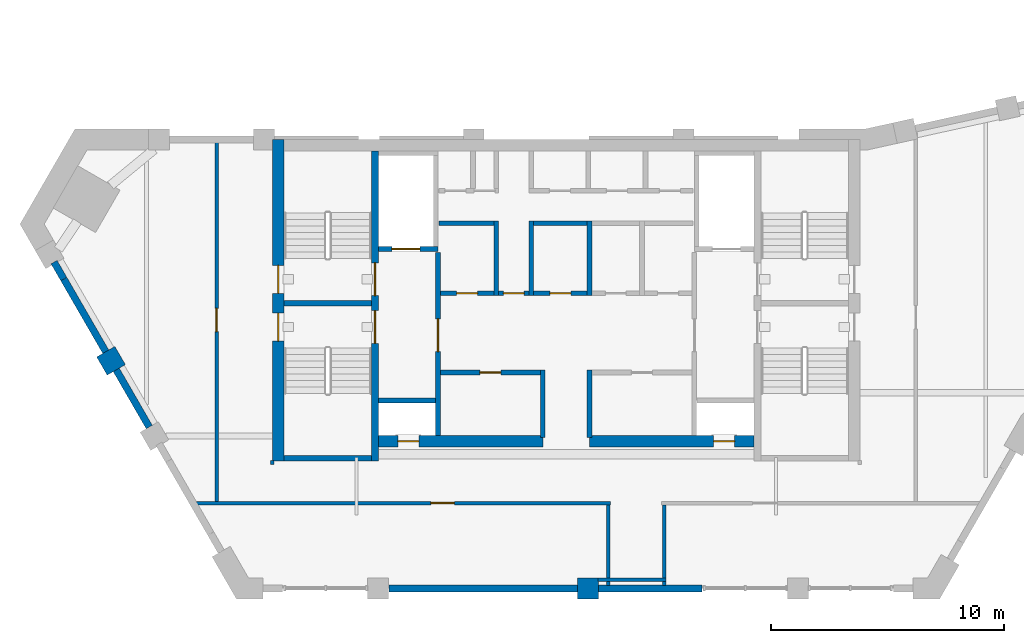
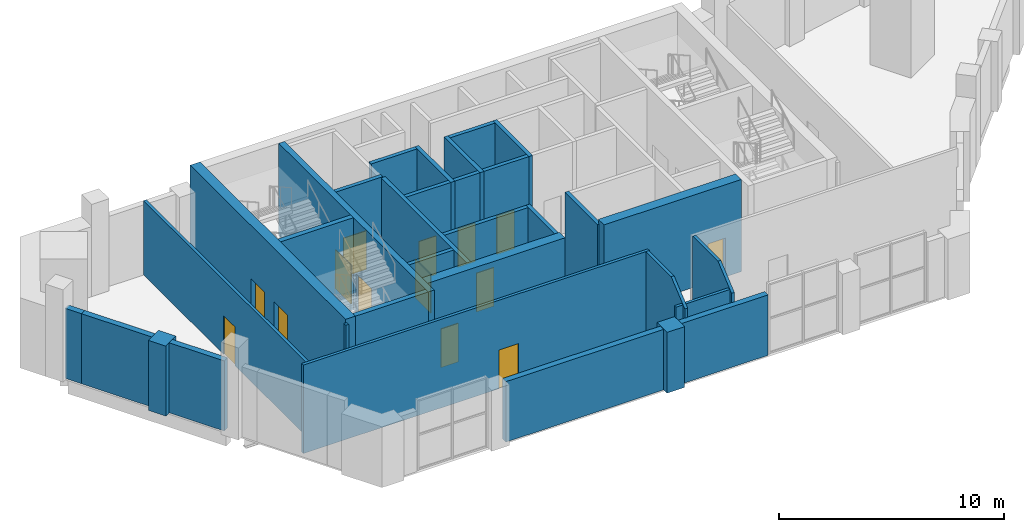
# One storey, part 4 of 9: 33 walls, 14 doors, 14 openings.
"""IFC4 building model written with IfcOpenShell, lengths in metres."""

from ifc_helpers import new_model, si_unit, direction, frame, frame_2d, origin, place, context, subcontext, project, spatial, polyline, rectangle, outline, extrude, material, layer, layer_set, type_object, element, fill, save


model = new_model("IFC4")

# Units and contexts
model_context = context("Model", 3, precision=1e-05, world=origin(), true_north=direction((0.0, 1.0)))
body_context = subcontext(model_context, "Body", "Model", "MODEL_VIEW")
ifc_project = project(units=[si_unit("LENGTHUNIT", "METRE"), si_unit("AREAUNIT", "SQUARE_METRE"), si_unit("VOLUMEUNIT", "CUBIC_METRE"), si_unit("PLANEANGLEUNIT", "RADIAN"), si_unit("MASSUNIT", "GRAM", prefix="KILO")], contexts=[model_context])

# Site, building, storey
site_placement = place(None, origin())
site = spatial("IfcSite", under=ifc_project, at=site_placement, CompositionType="ELEMENT")
building_placement = place(site_placement, origin())
building = spatial("IfcBuilding", under=site, at=building_placement, Name="Calabash Gate Tower", CompositionType="ELEMENT")
storey_placement = place(building_placement, frame((0.0, 0.0, 330.5)))
storey = spatial("IfcBuildingStorey", under=building, at=storey_placement, Name="L77", CompositionType="ELEMENT", Elevation=330.5)

# Walls
ifc_material_1 = material(Name="Terracotta brick masonry, exposed face", Category="masonry")
ifc_layer_1 = layer(ifc_material_1, 0.89990234375)
ifc_layer_set_1 = layer_set([ifc_layer_1], Name="Brick end wall 900")
wall_type_1 = type_object("IfcWallType", Name="Brick end wall 900", PredefinedType="SOLIDWALL", material=ifc_layer_set_1)
wall_1_placement = place(storey_placement, frame((-19.916015625, 9.330322265625, 0.0), z_axis=(0.0, 0.0, 1.0), x_axis=(0.866013897511, 0.50001992892, 0.0)))
element("IfcWall", 1, at=wall_1_placement, inside=storey, type_object=wall_type_1, Name="Brick pier L77 crown0.1", PredefinedType="SOLIDWALL", context=body_context, shape_type="SweptSolid", body=[
    extrude(rectangle(XDim=0.89990234375, YDim=0.89990234375, at=frame_2d((0.449951171875, 0.0))), origin(), (0.0, 0.0, 1.0), 3.800048828125),
])
wall_2_placement = place(storey_placement, origin())
element("IfcWall", 2, at=wall_2_placement, inside=storey, type_object=wall_type_1, Name="Brick pier L77 crown1.3", PredefinedType="SOLIDWALL", context=body_context, shape_type="SweptSolid", body=[
    extrude(outline(polyline([(1.385986328125, 0.24560546875), (0.48583984375, 0.24560546875), (0.48583984375, -0.654541015625), (1.385986328125, -0.654541015625), (1.385986328125, 0.24560546875)])), origin(), (0.0, 0.0, 1.0), 3.29736328125),
])
ifc_material_2 = material(Name="Gypsum board on steel studs, mineral wool", Category="steel")
ifc_layer_2 = layer(ifc_material_2, 0.199951171875)
ifc_layer_set_2 = layer_set([ifc_layer_2], Name="Core partition 200 gypsum board")
wall_type_2 = type_object("IfcWallType", Name="Core partition 200 gypsum board", PredefinedType="PARTITIONING", material=ifc_layer_set_2)
for number, where, z_axis, x_axis, name in (
    (3, (-1.0, 6.272705078125, 0.0), (0.0, 0.0, 1.0), (0.0, 1.0, 0.0), "Core partition"),
    (4, (1.0, 6.272705078125, 0.0), (0.0, 0.0, 1.0), (0.0, 1.0, 0.0), "Core partition"),
):
    element("IfcWall", number, at=place(storey_placement, frame(where, z_axis=z_axis, x_axis=x_axis)), inside=storey, type_object=wall_type_2, Name=name, PredefinedType="PARTITIONING", context=body_context, shape_type="SweptSolid", body=[
        extrude(rectangle(XDim=2.8798828125, YDim=0.199951171875, at=frame_2d((1.43994140625, 0.0))), origin(), (0.0, 0.0, 1.0), 4.800048828125),
    ])

# Wall, opening, door
wall_3_placement = place(storey_placement, frame((-5.39990234375, 9.052490234375, 0.0), z_axis=(0.0, 0.0, 1.0), x_axis=(1.0, 0.0, 0.0)))
wall_3 = element("IfcWall", 5, at=wall_3_placement, inside=storey, type_object=wall_type_2, Name="Core partition", PredefinedType="PARTITIONING", context=body_context, shape_type="SweptSolid", body=[
    extrude(rectangle(XDim=4.2998046875, YDim=0.199951171875, at=frame_2d((2.14990234375, 0.0))), origin(), (0.0, 0.0, 1.0), 4.800048828125),
])
opening_1_placement = place(wall_3_placement, frame((1.699951171875, 0.0, 0.0)))
opening_1 = element("IfcOpeningElement", 6, at=opening_1_placement, cuts=wall_3, Name="Opening L77-017", PredefinedType="OPENING", context=body_context, shape_type="SweptSolid", body=[
    extrude(rectangle(XDim=0.89990234375, YDim=2.10009765625, at=frame_2d((0.449951171875, 1.050048828125))), frame((0.0, 0.10986328125, 0.0), z_axis=(0.0, -1.0, 0.0), x_axis=(1.0, 0.0, 0.0)), (0.0, 0.0, 1.0), 0.219970703125),
])
ifc_material_3 = material(Name="Steel fire door set with fire-resisting glazing", Category="steel")
door_type_1 = type_object("IfcDoorType", Name="Fire door D06 900x2100 FD60", OperationType="NOTDEFINED", PredefinedType="DOOR", material=ifc_material_3)
door_1_placement = place(opening_1_placement, origin())
door_1 = element("IfcDoor", 7, at=door_1_placement, inside=storey, type_object=door_type_1, Name="Plant Spares Store door", OperationType="SINGLE_SWING_RIGHT", OverallHeight=2.10009765625, OverallWidth=0.89990234375, PredefinedType="DOOR", context=body_context, shape_type="SweptSolid", body=[
    extrude(rectangle(XDim=0.89990234375, YDim=2.10009765625, at=frame_2d((0.449951171875, 1.050048828125))), frame((0.0, 0.02490234375, 0.0), z_axis=(0.0, -1.0, 0.0), x_axis=(1.0, 0.0, 0.0)), (0.0, 0.0, 1.0), 0.050048828125),
])
fill(opening_1, door_1)

wall_4_placement = place(storey_placement, frame((-5.39990234375, 12.45263671875, 0.0), z_axis=(0.0, 0.0, 1.0), x_axis=(1.0, 0.0, 0.0)))
wall_4 = element("IfcWall", 8, at=wall_4_placement, inside=storey, type_object=wall_type_2, Name="Core partition", PredefinedType="PARTITIONING", context=body_context, shape_type="SweptSolid", body=[
    extrude(rectangle(XDim=2.2998046875, YDim=0.199951171875, at=frame_2d((1.14990234375, 0.0))), origin(), (0.0, 0.0, 1.0), 4.800048828125),
])
opening_2_placement = place(wall_4_placement, frame((0.699951171875, 0.0, 0.0)))
opening_2 = element("IfcOpeningElement", 9, at=opening_2_placement, cuts=wall_4, Name="Opening L77-021", PredefinedType="OPENING", context=body_context, shape_type="SweptSolid", body=[
    extrude(rectangle(XDim=0.89990234375, YDim=2.10009765625, at=frame_2d((0.449951171875, 1.050048828125))), frame((0.0, 0.10986328125, 0.0), z_axis=(0.0, -1.0, 0.0), x_axis=(1.0, 0.0, 0.0)), (0.0, 0.0, 1.0), 0.219970703125),
])
door_2_placement = place(opening_2_placement, origin())
door_2 = element("IfcDoor", 10, at=door_2_placement, inside=storey, type_object=door_type_1, Name="Plant BMS Room door", OperationType="SINGLE_SWING_RIGHT", OverallHeight=2.10009765625, OverallWidth=0.89990234375, PredefinedType="DOOR", context=body_context, shape_type="SweptSolid", body=[
    extrude(rectangle(XDim=0.89990234375, YDim=2.10009765625, at=frame_2d((0.449951171875, 1.050048828125))), frame((0.0, 0.02490234375, 0.0), z_axis=(0.0, -1.0, 0.0), x_axis=(1.0, 0.0, 0.0)), (0.0, 0.0, 1.0), 0.050048828125),
])
fill(opening_2, door_2)

# Wall
wall_5_placement = place(storey_placement, frame((-3.0, 12.3525390625, 0.0), z_axis=(0.0, 0.0, 1.0), x_axis=(0.0, 1.0, 0.0)))
element("IfcWall", 11, at=wall_5_placement, inside=storey, type_object=wall_type_2, Name="Core partition", PredefinedType="PARTITIONING", context=body_context, shape_type="SweptSolid", body=[
    extrude(rectangle(XDim=3.199951171875, YDim=0.199951171875, at=frame_2d((1.60009765625, 0.0))), origin(), (0.0, 0.0, 1.0), 4.800048828125),
])

# Wall, opening, door
wall_6_placement = place(storey_placement, frame((-2.89990234375, 12.45263671875, 0.0), z_axis=(0.0, 0.0, 1.0), x_axis=(1.0, 0.0, 0.0)))
wall_6 = element("IfcWall", 12, at=wall_6_placement, inside=storey, type_object=wall_type_2, Name="Core partition", PredefinedType="PARTITIONING", context=body_context, shape_type="SweptSolid", body=[
    extrude(rectangle(XDim=1.2998046875, YDim=0.199951171875, at=frame_2d((0.64990234375, 0.0))), origin(), (0.0, 0.0, 1.0), 4.800048828125),
])
opening_3_placement = place(wall_6_placement, frame((0.199951171875, 0.0, 0.0)))
opening_3 = element("IfcOpeningElement", 13, at=opening_3_placement, cuts=wall_6, Name="Opening L77-009", PredefinedType="OPENING", context=body_context, shape_type="SweptSolid", body=[
    extrude(rectangle(XDim=0.89990234375, YDim=2.10009765625, at=frame_2d((0.449951171875, 1.050048828125))), frame((0.0, 0.10986328125, 0.0), z_axis=(0.0, -1.0, 0.0), x_axis=(1.0, 0.0, 0.0)), (0.0, 0.0, 1.0), 0.219970703125),
])
door_3_placement = place(opening_3_placement, origin())
door_3 = element("IfcDoor", 14, at=door_3_placement, inside=storey, type_object=door_type_1, Name="Service Corridor door", OperationType="SINGLE_SWING_RIGHT", OverallHeight=2.10009765625, OverallWidth=0.89990234375, PredefinedType="DOOR", context=body_context, shape_type="SweptSolid", body=[
    extrude(rectangle(XDim=0.89990234375, YDim=2.10009765625, at=frame_2d((0.449951171875, 1.050048828125))), frame((0.0, 0.02490234375, 0.0), z_axis=(0.0, -1.0, 0.0), x_axis=(1.0, 0.0, 0.0)), (0.0, 0.0, 1.0), 0.050048828125),
])
fill(opening_3, door_3)

# Wall
wall_7_placement = place(storey_placement, frame((-1.5, 12.3525390625, 0.0), z_axis=(0.0, 0.0, 1.0), x_axis=(0.0, 1.0, 0.0)))
element("IfcWall", 15, at=wall_7_placement, inside=storey, type_object=wall_type_2, Name="Core partition", PredefinedType="PARTITIONING", context=body_context, shape_type="SweptSolid", body=[
    extrude(rectangle(XDim=3.199951171875, YDim=0.199951171875, at=frame_2d((1.60009765625, 0.0))), origin(), (0.0, 0.0, 1.0), 4.800048828125),
])

# Wall, opening, door
wall_8_placement = place(storey_placement, frame((-1.39990234375, 12.45263671875, 0.0), z_axis=(0.0, 0.0, 1.0), x_axis=(1.0, 0.0, 0.0)))
wall_8 = element("IfcWall", 16, at=wall_8_placement, inside=storey, type_object=wall_type_2, Name="Core partition", PredefinedType="PARTITIONING", context=body_context, shape_type="SweptSolid", body=[
    extrude(rectangle(XDim=2.2998046875, YDim=0.199951171875, at=frame_2d((1.14990234375, 0.0))), origin(), (0.0, 0.0, 1.0), 4.800048828125),
])
opening_4_placement = place(wall_8_placement, frame((0.699951171875, 0.0, 0.0)))
opening_4 = element("IfcOpeningElement", 17, at=opening_4_placement, cuts=wall_8, Name="Opening L77-022", PredefinedType="OPENING", context=body_context, shape_type="SweptSolid", body=[
    extrude(rectangle(XDim=0.89990234375, YDim=2.10009765625, at=frame_2d((0.449951171875, 1.050048828125))), frame((0.0, 0.10986328125, 0.0), z_axis=(0.0, -1.0, 0.0), x_axis=(1.0, 0.0, 0.0)), (0.0, 0.0, 1.0), 0.219970703125),
])
door_4_placement = place(opening_4_placement, origin())
door_4 = element("IfcDoor", 18, at=door_4_placement, inside=storey, type_object=door_type_1, Name="Smoke Extract Plant door", OperationType="SINGLE_SWING_RIGHT", OverallHeight=2.10009765625, OverallWidth=0.89990234375, PredefinedType="DOOR", context=body_context, shape_type="SweptSolid", body=[
    extrude(rectangle(XDim=0.89990234375, YDim=2.10009765625, at=frame_2d((0.449951171875, 1.050048828125))), frame((0.0, 0.02490234375, 0.0), z_axis=(0.0, -1.0, 0.0), x_axis=(1.0, 0.0, 0.0)), (0.0, 0.0, 1.0), 0.050048828125),
])
fill(opening_4, door_4)

# Walls
wall_9_placement = place(storey_placement, frame((1.0, 12.3525390625, 0.0), z_axis=(0.0, 0.0, 1.0), x_axis=(0.0, 1.0, 0.0)))
element("IfcWall", 19, at=wall_9_placement, inside=storey, type_object=wall_type_2, Name="Core partition", PredefinedType="PARTITIONING", context=body_context, shape_type="SweptSolid", body=[
    extrude(rectangle(XDim=3.199951171875, YDim=0.199951171875, at=frame_2d((1.60009765625, 0.0))), origin(), (0.0, 0.0, 1.0), 4.800048828125),
])
wall_10_placement = place(storey_placement, frame((-1.39990234375, 15.45263671875, 0.0), z_axis=(0.0, 0.0, 1.0), x_axis=(1.0, 0.0, 0.0)))
element("IfcWall", 20, at=wall_10_placement, inside=storey, type_object=wall_type_2, Name="Core partition", PredefinedType="PARTITIONING", context=body_context, shape_type="SweptSolid", body=[
    extrude(rectangle(XDim=2.2998046875, YDim=0.199951171875, at=frame_2d((1.14990234375, 0.0))), origin(), (0.0, 0.0, 1.0), 4.800048828125),
])
ifc_material_4 = material(Name="Concrete C60/75", Category="concrete")
ifc_layer_3 = layer(ifc_material_4, 0.25)
ifc_layer_set_3 = layer_set([ifc_layer_3], Name="Core wall 250 Concrete C60/75")
wall_type_3 = type_object("IfcWallType", Name="Core wall 250 Concrete C60/75", PredefinedType="SHEAR", material=ifc_layer_set_3)
for number, where, z_axis, x_axis, name in (
    (21, (-12.10009765625, 12.027587890625, 0.0), (0.0, 0.0, 1.0), (1.0, 0.0, 0.0), "Core wall C-MIDW L77"),
    (22, (-12.10009765625, 5.377685546875, 0.0), (0.0, 0.0, 1.0), (1.0, 0.0, 0.0), "Core wall C-SSW L77"),
):
    element("IfcWall", number, at=place(storey_placement, frame(where, z_axis=z_axis, x_axis=x_axis)), inside=storey, type_object=wall_type_3, Name=name, PredefinedType="SHEAR", context=body_context, shape_type="SweptSolid", body=[
        extrude(rectangle(XDim=3.75, YDim=0.25, at=frame_2d((1.875, 0.0))), origin(), (0.0, 0.0, 1.0), 5.0),
    ])

# Wall, openings, doors
ifc_material_5 = material(Name="Concrete C60/75", Category="concrete")
ifc_layer_4 = layer(ifc_material_5, 0.300048828125)
ifc_layer_set_4 = layer_set([ifc_layer_4], Name="Core wall 300 Concrete C60/75")
wall_type_4 = type_object("IfcWallType", Name="Core wall 300 Concrete C60/75", PredefinedType="SHEAR", material=ifc_layer_set_4)
wall_11_placement = place(storey_placement, frame((-8.199951171875, 5.252685546875, 0.0), z_axis=(0.0, 0.0, 1.0), x_axis=(0.0, 1.0, 0.0)))
wall_11 = element("IfcWall", 23, at=wall_11_placement, inside=storey, type_object=wall_type_4, Name="Core wall C-PARTW L77", PredefinedType="SHEAR", context=body_context, shape_type="SweptSolid", body=[
    extrude(rectangle(XDim=13.2998046875, YDim=0.300048828125, at=frame_2d((6.64990234375, 0.0))), origin(), (0.0, 0.0, 1.0), 5.0),
])
opening_5_placement = place(wall_11_placement, frame((7.10009765625, 0.0, 0.0)))
opening_5 = element("IfcOpeningElement", 24, at=opening_5_placement, cuts=wall_11, Name="Opening L77-001", PredefinedType="OPENING", context=body_context, shape_type="SweptSolid", body=[
    extrude(rectangle(XDim=1.39990234375, YDim=2.10009765625, at=frame_2d((0.699951171875, 1.050048828125))), frame((0.0, 0.159912109375, 0.0), z_axis=(0.0, -1.0, 0.0), x_axis=(1.0, 0.0, 0.0)), (0.0, 0.0, 1.0), 0.320068359375),
])
opening_6_placement = place(wall_11_placement, frame((5.050048828125, 0.0, 0.0)))
opening_6 = element("IfcOpeningElement", 25, at=opening_6_placement, cuts=wall_11, Name="Opening L77-002", PredefinedType="OPENING", context=body_context, shape_type="SweptSolid", body=[
    extrude(rectangle(XDim=1.39990234375, YDim=2.10009765625, at=frame_2d((0.699951171875, 1.050048828125))), frame((0.0, 0.159912109375, 0.0), z_axis=(0.0, -1.0, 0.0), x_axis=(1.0, 0.0, 0.0)), (0.0, 0.0, 1.0), 0.320068359375),
])
ifc_material_6 = material(Name="Steel fire door set with fire-resisting glazing", Category="steel")
door_type_2 = type_object("IfcDoorType", Name="Fire door D05 1400x2100 FD90", OperationType="NOTDEFINED", PredefinedType="DOOR", material=ifc_material_6)
door_5_placement = place(opening_5_placement, origin())
door_5 = element("IfcDoor", 26, at=door_5_placement, inside=storey, type_object=door_type_2, Name="Exit stair door ST1", OperationType="SINGLE_SWING_LEFT", OverallHeight=2.10009765625, OverallWidth=1.39990234375, PredefinedType="DOOR", context=body_context, shape_type="SweptSolid", body=[
    extrude(rectangle(XDim=1.39990234375, YDim=2.10009765625, at=frame_2d((0.699951171875, 1.050048828125))), frame((0.0, 0.02490234375, 0.0), z_axis=(0.0, -1.0, 0.0), x_axis=(1.0, 0.0, 0.0)), (0.0, 0.0, 1.0), 0.050048828125),
])
fill(opening_5, door_5)
door_6_placement = place(opening_6_placement, origin())
door_6 = element("IfcDoor", 27, at=door_6_placement, inside=storey, type_object=door_type_2, Name="Exit stair door ST2", OperationType="SINGLE_SWING_LEFT", OverallHeight=2.10009765625, OverallWidth=1.39990234375, PredefinedType="DOOR", context=body_context, shape_type="SweptSolid", body=[
    extrude(rectangle(XDim=1.39990234375, YDim=2.10009765625, at=frame_2d((0.699951171875, 1.050048828125))), frame((0.0, 0.02490234375, 0.0), z_axis=(0.0, -1.0, 0.0), x_axis=(1.0, 0.0, 0.0)), (0.0, 0.0, 1.0), 0.050048828125),
])
fill(opening_6, door_6)

ifc_material_7 = material(Name="Concrete C60/75", Category="concrete")
ifc_layer_5 = layer(ifc_material_7, 0.5)
ifc_layer_set_5 = layer_set([ifc_layer_5], Name="Core wall 500 Concrete C60/75")
wall_type_5 = type_object("IfcWallType", Name="Core wall 500 Concrete C60/75", PredefinedType="SHEAR", material=ifc_layer_set_5)
wall_12_placement = place(storey_placement, frame((-12.35009765625, 5.252685546875, 0.0), z_axis=(0.0, 0.0, 1.0), x_axis=(0.0, 1.0, 0.0)))
wall_12 = element("IfcWall", 28, at=wall_12_placement, inside=storey, type_object=wall_type_5, Name="Core wall C-COLW L77", PredefinedType="SHEAR", context=body_context, shape_type="SweptSolid", body=[
    extrude(rectangle(XDim=13.7998046875, YDim=0.5, at=frame_2d((6.89990234375, 0.0))), origin(), (0.0, 0.0, 1.0), 5.0),
])
opening_7_placement = place(wall_12_placement, frame((7.199951171875, 0.0, 0.0)))
opening_7 = element("IfcOpeningElement", 29, at=opening_7_placement, cuts=wall_12, Name="Opening L77-005", PredefinedType="OPENING", context=body_context, shape_type="SweptSolid", body=[
    extrude(rectangle(XDim=1.199951171875, YDim=2.10009765625, at=frame_2d((0.60009765625, 1.050048828125))), frame((0.0, 0.260009765625, 0.0), z_axis=(0.0, -1.0, 0.0), x_axis=(1.0, 0.0, 0.0)), (0.0, 0.0, 1.0), 0.52001953125),
])
opening_8_placement = place(wall_12_placement, frame((5.14990234375, 0.0, 0.0)))
opening_8 = element("IfcOpeningElement", 30, at=opening_8_placement, cuts=wall_12, Name="Opening L77-006", PredefinedType="OPENING", context=body_context, shape_type="SweptSolid", body=[
    extrude(rectangle(XDim=1.199951171875, YDim=2.10009765625, at=frame_2d((0.60009765625, 1.050048828125))), frame((0.0, 0.260009765625, 0.0), z_axis=(0.0, -1.0, 0.0), x_axis=(1.0, 0.0, 0.0)), (0.0, 0.0, 1.0), 0.52001953125),
])
ifc_material_8 = material(Name="Steel fire door set with fire-resisting glazing", Category="steel")
door_type_3 = type_object("IfcDoorType", Name="Fire door D10 1200x2100 FD90", OperationType="NOTDEFINED", PredefinedType="DOOR", material=ifc_material_8)
door_7_placement = place(opening_7_placement, origin())
door_7 = element("IfcDoor", 31, at=door_7_placement, inside=storey, type_object=door_type_3, Name="Exit stair door ST1", OperationType="SINGLE_SWING_RIGHT", OverallHeight=2.10009765625, OverallWidth=1.199951171875, PredefinedType="DOOR", context=body_context, shape_type="SweptSolid", body=[
    extrude(rectangle(XDim=1.199951171875, YDim=2.10009765625, at=frame_2d((0.60009765625, 1.050048828125))), frame((0.0, 0.02490234375, 0.0), z_axis=(0.0, -1.0, 0.0), x_axis=(1.0, 0.0, 0.0)), (0.0, 0.0, 1.0), 0.050048828125),
])
fill(opening_7, door_7)
door_8_placement = place(opening_8_placement, origin())
door_8 = element("IfcDoor", 32, at=door_8_placement, inside=storey, type_object=door_type_3, Name="Exit stair door ST2", OperationType="SINGLE_SWING_LEFT", OverallHeight=2.10009765625, OverallWidth=1.199951171875, PredefinedType="DOOR", context=body_context, shape_type="SweptSolid", body=[
    extrude(rectangle(XDim=1.199951171875, YDim=2.10009765625, at=frame_2d((0.60009765625, 1.050048828125))), frame((0.0, 0.02490234375, 0.0), z_axis=(0.0, -1.0, 0.0), x_axis=(1.0, 0.0, 0.0)), (0.0, 0.0, 1.0), 0.050048828125),
])
fill(opening_8, door_8)

# Wall, opening, door
wall_13_placement = place(storey_placement, frame((-8.050048828125, 6.1025390625, 0.0), z_axis=(0.0, 0.0, 1.0), x_axis=(1.0, 0.0, 0.0)))
wall_13 = element("IfcWall", 33, at=wall_13_placement, inside=storey, type_object=wall_type_5, Name="Core wall C-SA L77", PredefinedType="SHEAR", context=body_context, shape_type="SweptSolid", body=[
    extrude(rectangle(XDim=7.050048828125, YDim=0.5, at=frame_2d((3.52490234375, 0.0))), origin(), (0.0, 0.0, 1.0), 5.0),
])
opening_9_placement = place(wall_13_placement, frame((0.824951171875, 0.0, 0.0)))
opening_9 = element("IfcOpeningElement", 34, at=opening_9_placement, cuts=wall_13, Name="Opening L77-023", PredefinedType="OPENING", context=body_context, shape_type="SweptSolid", body=[
    extrude(rectangle(XDim=0.89990234375, YDim=2.10009765625, at=frame_2d((0.449951171875, 1.050048828125))), frame((0.0, 0.260009765625, 0.0), z_axis=(0.0, -1.0, 0.0), x_axis=(1.0, 0.0, 0.0)), (0.0, 0.0, 1.0), 0.52001953125),
])
ifc_material_9 = material(Name="Steel fire door set with fire-resisting glazing", Category="steel")
door_type_4 = type_object("IfcDoorType", Name="Fire door D07 900x2100 FD90", OperationType="NOTDEFINED", PredefinedType="DOOR", material=ifc_material_9)
door_9_placement = place(opening_9_placement, origin())
door_9 = element("IfcDoor", 35, at=door_9_placement, inside=storey, type_object=door_type_4, Name="Electrical Riser W door", OperationType="SINGLE_SWING_LEFT", OverallHeight=2.10009765625, OverallWidth=0.89990234375, PredefinedType="DOOR", context=body_context, shape_type="SweptSolid", body=[
    extrude(rectangle(XDim=0.89990234375, YDim=2.10009765625, at=frame_2d((0.449951171875, 1.050048828125))), frame((0.0, 0.02490234375, 0.0), z_axis=(0.0, -1.0, 0.0), x_axis=(1.0, 0.0, 0.0)), (0.0, 0.0, 1.0), 0.050048828125),
])
fill(opening_9, door_9)

wall_14_placement = place(storey_placement, frame((1.0, 6.1025390625, 0.0), z_axis=(0.0, 0.0, 1.0), x_axis=(1.0, 0.0, 0.0)))
wall_14 = element("IfcWall", 36, at=wall_14_placement, inside=storey, type_object=wall_type_5, Name="Core wall C-SB L77", PredefinedType="SHEAR", context=body_context, shape_type="SweptSolid", body=[
    extrude(rectangle(XDim=7.050048828125, YDim=0.5, at=frame_2d((3.52490234375, 0.0))), origin(), (0.0, 0.0, 1.0), 5.0),
])
opening_10_placement = place(wall_14_placement, frame((5.324951171875, 0.0, 0.0)))
opening_10 = element("IfcOpeningElement", 37, at=opening_10_placement, cuts=wall_14, Name="Opening L77-024", PredefinedType="OPENING", context=body_context, shape_type="SweptSolid", body=[
    extrude(rectangle(XDim=0.89990234375, YDim=2.10009765625, at=frame_2d((0.449951171875, 1.050048828125))), frame((0.0, 0.260009765625, 0.0), z_axis=(0.0, -1.0, 0.0), x_axis=(1.0, 0.0, 0.0)), (0.0, 0.0, 1.0), 0.52001953125),
])
door_10_placement = place(opening_10_placement, origin())
door_10 = element("IfcDoor", 38, at=door_10_placement, inside=storey, type_object=door_type_4, Name="Mechanical Riser E door", OperationType="SINGLE_SWING_RIGHT", OverallHeight=2.10009765625, OverallWidth=0.89990234375, PredefinedType="DOOR", context=body_context, shape_type="SweptSolid", body=[
    extrude(rectangle(XDim=0.89990234375, YDim=2.10009765625, at=frame_2d((0.449951171875, 1.050048828125))), frame((0.0, 0.02490234375, 0.0), z_axis=(0.0, -1.0, 0.0), x_axis=(1.0, 0.0, 0.0)), (0.0, 0.0, 1.0), 0.050048828125),
])
fill(opening_10, door_10)

# Walls
ifc_material_10 = material(Name="Gypsum board on steel studs, mineral wool", Category="steel")
ifc_layer_6 = layer(ifc_material_10, 0.14990234375)
ifc_layer_set_6 = layer_set([ifc_layer_6], Name="Partition 150 gypsum board")
wall_type_6 = type_object("IfcWallType", Name="Partition 150 gypsum board", PredefinedType="PARTITIONING", material=ifc_layer_set_6)
wall_15_placement = place(storey_placement, frame((1.365966796875, 0.152587890625, 0.0), z_axis=(0.0, 0.0, 1.0), x_axis=(1.0, 0.0, 0.0)))
element("IfcWall", 39, at=wall_15_placement, inside=storey, type_object=wall_type_6, Name="Partition", PredefinedType="PARTITIONING", context=body_context, shape_type="SweptSolid", body=[
    extrude(rectangle(XDim=2.908935546875, YDim=0.14990234375, at=frame_2d((1.45458984375, 0.0))), origin(), (0.0, 0.0, 1.0), 3.91162109375),
])
for number, where, z_axis, x_axis, name in (
    (40, (1.800048828125, -0.074462890625, 0.0), (0.0, 0.0, 1.0), (0.0, 1.0, 0.0), "Partition"),
    (41, (4.199951171875, -0.074462890625, 0.0), (0.0, 0.0, 1.0), (0.0, 1.0, 0.0), "Partition"),
):
    element("IfcWall", number, at=place(storey_placement, frame(where, z_axis=z_axis, x_axis=x_axis)), inside=storey, type_object=wall_type_6, Name=name, PredefinedType="PARTITIONING", context=body_context, shape_type="SweptSolid", body=[
        extrude(outline(polyline([(0.0, 0.0), (3.4521484375, 0.0), (3.4521484375, 4.800048828125), (1.210693359375, 4.800048828125), (0.0, 3.7841796875), (0.0, 0.0)])), frame((0.0, 0.074951171875, 0.0), z_axis=(0.0, -1.0, 0.0), x_axis=(1.0, 0.0, 0.0)), (0.0, 0.0, 1.0), 0.14990234375),
    ])

# Wall, opening, door
wall_16_placement = place(storey_placement, frame((-15.849853515625, 3.45263671875, 0.0), z_axis=(0.0, 0.0, 1.0), x_axis=(1.0, 0.0, 0.0)))
wall_16 = element("IfcWall", 42, at=wall_16_placement, inside=storey, type_object=wall_type_6, Name="Partition", PredefinedType="PARTITIONING", context=body_context, shape_type="SweptSolid", body=[
    extrude(rectangle(XDim=17.7548828125, YDim=0.14990234375, at=frame_2d((8.87744140625, 0.0))), origin(), (0.0, 0.0, 1.0), 4.800048828125),
])
opening_11_placement = place(wall_16_placement, frame((10.0498046875, 0.0, 0.0)))
opening_11 = element("IfcOpeningElement", 43, at=opening_11_placement, cuts=wall_16, Name="Opening L77-027", PredefinedType="OPENING", context=body_context, shape_type="SweptSolid", body=[
    extrude(rectangle(XDim=1.0, YDim=2.10009765625, at=frame_2d((0.5, 1.050048828125))), frame((0.0, 0.0849609375, 0.0), z_axis=(0.0, -1.0, 0.0), x_axis=(1.0, 0.0, 0.0)), (0.0, 0.0, 1.0), 0.169921875),
])
ifc_material_11 = material(Name="Steel fire door set with fire-resisting glazing", Category="steel")
door_type_5 = type_object("IfcDoorType", Name="Fire door D11 1000x2100 FD60", OperationType="NOTDEFINED", PredefinedType="DOOR", material=ifc_material_11)
door_11_placement = place(opening_11_placement, origin())
door_11 = element("IfcDoor", 44, at=door_11_placement, inside=storey, type_object=door_type_5, Name="Water Tank Room door", OperationType="SINGLE_SWING_RIGHT", OverallHeight=2.10009765625, OverallWidth=1.0, PredefinedType="DOOR", context=body_context, shape_type="SweptSolid", body=[
    extrude(rectangle(XDim=1.0, YDim=2.10009765625, at=frame_2d((0.5, 1.050048828125))), frame((0.0, 0.02490234375, 0.0), z_axis=(0.0, -1.0, 0.0), x_axis=(1.0, 0.0, 0.0)), (0.0, 0.0, 1.0), 0.050048828125),
])
fill(opening_11, door_11)

wall_17_placement = place(storey_placement, frame((-15.0, 3.527587890625, 0.0), z_axis=(0.0, 0.0, 1.0), x_axis=(0.0, 1.0, 0.0)))
wall_17 = element("IfcWall", 45, at=wall_17_placement, inside=storey, type_object=wall_type_6, Name="Partition", PredefinedType="PARTITIONING", context=body_context, shape_type="SweptSolid", body=[
    extrude(rectangle(XDim=15.39501953125, YDim=0.14990234375, at=frame_2d((7.697509765625, 0.0))), origin(), (0.0, 0.0, 1.0), 4.02001953125),
])
opening_12_placement = place(wall_17_placement, frame((7.27490234375, 0.0, 0.0)))
opening_12 = element("IfcOpeningElement", 46, at=opening_12_placement, cuts=wall_17, Name="Opening L77-025", PredefinedType="OPENING", context=body_context, shape_type="SweptSolid", body=[
    extrude(rectangle(XDim=1.0, YDim=2.10009765625, at=frame_2d((0.5, 1.050048828125))), frame((0.0, 0.0849609375, 0.0), z_axis=(0.0, -1.0, 0.0), x_axis=(1.0, 0.0, 0.0)), (0.0, 0.0, 1.0), 0.169921875),
])
door_12_placement = place(opening_12_placement, origin())
door_12 = element("IfcDoor", 47, at=door_12_placement, inside=storey, type_object=door_type_5, Name="Water Tank Room door", OperationType="SINGLE_SWING_LEFT", OverallHeight=2.10009765625, OverallWidth=1.0, PredefinedType="DOOR", context=body_context, shape_type="SweptSolid", body=[
    extrude(rectangle(XDim=1.0, YDim=2.10009765625, at=frame_2d((0.5, 1.050048828125))), frame((0.0, 0.02490234375, 0.0), z_axis=(0.0, -1.0, 0.0), x_axis=(1.0, 0.0, 0.0)), (0.0, 0.0, 1.0), 0.050048828125),
])
fill(opening_12, door_12)

# Wall
wall_18_placement = place(storey_placement, frame((-12.60009765625, 5.09765625, 0.0), z_axis=(0.0, 0.0, 1.0), x_axis=(0.0, 1.0, 0.0)))
element("IfcWall", 48, at=wall_18_placement, inside=storey, type_object=wall_type_6, Name="Partition", PredefinedType="PARTITIONING", context=body_context, shape_type="SweptSolid", body=[
    extrude(rectangle(XDim=0.179931640625, YDim=0.14990234375, at=frame_2d((0.08984375, 0.0))), origin(), (0.0, 0.0, 1.0), 4.800048828125),
])

# Wall, opening, door
ifc_material_12 = material(Name="Concrete C40/50", Category="concrete")
ifc_layer_7 = layer(ifc_material_12, 0.199951171875)
ifc_layer_set_7 = layer_set([ifc_layer_7], Name="Shaft wall 200 Concrete C40/50")
wall_type_7 = type_object("IfcWallType", Name="Shaft wall 200 Concrete C40/50", PredefinedType="SOLIDWALL", material=ifc_layer_set_7)
wall_19_placement = place(storey_placement, frame((-5.5, 6.3525390625, 0.0), z_axis=(0.0, 0.0, 1.0), x_axis=(0.0, 1.0, 0.0)))
wall_19 = element("IfcWall", 49, at=wall_19_placement, inside=storey, type_object=wall_type_7, Name="Shaft wall", PredefinedType="SOLIDWALL", context=body_context, shape_type="SweptSolid", body=[
    extrude(rectangle(XDim=7.85009765625, YDim=0.199951171875, at=frame_2d((3.925048828125, 0.0))), origin(), (0.0, 0.0, 1.0), 4.800048828125),
])
opening_13_placement = place(wall_19_placement, frame((3.60009765625, 0.0, 0.0)))
opening_13 = element("IfcOpeningElement", 50, at=opening_13_placement, cuts=wall_19, Name="Opening L77-010", PredefinedType="OPENING", context=body_context, shape_type="SweptSolid", body=[
    extrude(rectangle(XDim=1.39990234375, YDim=2.10009765625, at=frame_2d((0.699951171875, 1.050048828125))), frame((0.0, 0.10986328125, 0.0), z_axis=(0.0, -1.0, 0.0), x_axis=(1.0, 0.0, 0.0)), (0.0, 0.0, 1.0), 0.219970703125),
])
door_13_placement = place(opening_13_placement, origin())
door_13 = element("IfcDoor", 51, at=door_13_placement, inside=storey, type_object=door_type_2, Name="Firefighting Lobby W door", OperationType="SINGLE_SWING_RIGHT", OverallHeight=2.10009765625, OverallWidth=1.39990234375, PredefinedType="DOOR", context=body_context, shape_type="SweptSolid", body=[
    extrude(rectangle(XDim=1.39990234375, YDim=2.10009765625, at=frame_2d((0.699951171875, 1.050048828125))), frame((0.0, 0.02490234375, 0.0), z_axis=(0.0, -1.0, 0.0), x_axis=(1.0, 0.0, 0.0)), (0.0, 0.0, 1.0), 0.050048828125),
])
fill(opening_13, door_13)

# Wall
wall_20_placement = place(storey_placement, frame((-8.050048828125, 7.8525390625, 0.0), z_axis=(0.0, 0.0, 1.0), x_axis=(1.0, 0.0, 0.0)))
element("IfcWall", 52, at=wall_20_placement, inside=storey, type_object=wall_type_7, Name="Shaft wall", PredefinedType="SOLIDWALL", context=body_context, shape_type="SweptSolid", body=[
    extrude(rectangle(XDim=2.449951171875, YDim=0.199951171875, at=frame_2d((1.22509765625, 0.0))), origin(), (0.0, 0.0, 1.0), 4.800048828125),
])

# Wall, opening, door
wall_21_placement = place(storey_placement, frame((-8.050048828125, 14.3525390625, 0.0), z_axis=(0.0, 0.0, 1.0), x_axis=(1.0, 0.0, 0.0)))
wall_21 = element("IfcWall", 53, at=wall_21_placement, inside=storey, type_object=wall_type_7, Name="Shaft wall", PredefinedType="SOLIDWALL", context=body_context, shape_type="SweptSolid", body=[
    extrude(rectangle(XDim=2.550048828125, YDim=0.199951171875, at=frame_2d((1.27490234375, 0.0))), origin(), (0.0, 0.0, 1.0), 4.800048828125),
])
opening_14_placement = place(wall_21_placement, frame((0.574951171875, 0.0, 0.0)))
opening_14 = element("IfcOpeningElement", 54, at=opening_14_placement, cuts=wall_21, Name="Opening LD-FF1", PredefinedType="OPENING", context=body_context, shape_type="SweptSolid", body=[
    extrude(rectangle(XDim=1.199951171875, YDim=2.10009765625, at=frame_2d((0.60009765625, 1.050048828125))), frame((0.0, 0.10986328125, 0.0), z_axis=(0.0, -1.0, 0.0), x_axis=(1.0, 0.0, 0.0)), (0.0, 0.0, 1.0), 0.219970703125),
])
ifc_material_13 = material(Name="Stainless steel sliding door leaves", Category="steel")
door_type_6 = type_object("IfcDoorType", Name="Lift landing door LS3 1200x2100 FD90", OperationType="DOUBLE_DOOR_SLIDING", PredefinedType="DOOR", material=ifc_material_13)
door_14_placement = place(opening_14_placement, origin())
door_14 = element("IfcDoor", 55, at=door_14_placement, inside=storey, type_object=door_type_6, Name="Lift landing door FF1", OperationType="DOUBLE_DOOR_SLIDING", OverallHeight=2.10009765625, OverallWidth=1.199951171875, PredefinedType="DOOR", context=body_context, shape_type="SweptSolid", body=[
    extrude(rectangle(XDim=1.199951171875, YDim=2.10009765625, at=frame_2d((0.60009765625, 1.050048828125))), frame((0.0, 0.02490234375, 0.0), z_axis=(0.0, -1.0, 0.0), x_axis=(1.0, 0.0, 0.0)), (0.0, 0.0, 1.0), 0.050048828125),
])
fill(opening_14, door_14)

# Walls
wall_22_placement = place(storey_placement, frame((-5.449951171875, 15.45263671875, 0.0), z_axis=(0.0, 0.0, 1.0), x_axis=(1.0, 0.0, 0.0)))
element("IfcWall", 56, at=wall_22_placement, inside=storey, type_object=wall_type_7, Name="Shaft wall", PredefinedType="SOLIDWALL", context=body_context, shape_type="SweptSolid", body=[
    extrude(rectangle(XDim=2.349853515625, YDim=0.199951171875, at=frame_2d((1.1748046875, 0.0))), origin(), (0.0, 0.0, 1.0), 4.800048828125),
])
ifc_material_14 = material(Name="Terracotta louvre blades in an aluminium frame", Category="masonry")
ifc_layer_8 = layer(ifc_material_14, 0.300048828125)
ifc_layer_set_8 = layer_set([ifc_layer_8], Name="Terracotta louvre wall 300")
wall_type_8 = type_object("IfcWallType", Name="Terracotta louvre wall 300", PredefinedType="ELEMENTEDWALL", material=ifc_layer_set_8)
wall_23_placement = place(storey_placement, frame((-21.551513671875, 13.062744140625, 0.0), z_axis=(0.0, 0.0, 1.0), x_axis=(0.500012057535, -0.866018442252, 0.0)))
element("IfcWall", 57, at=wall_23_placement, inside=storey, type_object=wall_type_8, Name="LOUVRE L77 crown0.1", PredefinedType="ELEMENTEDWALL", context=body_context, shape_type="SweptSolid", body=[
    extrude(rectangle(XDim=3.60009765625, YDim=0.300048828125, at=frame_2d((1.800048828125, 0.0))), origin(), (0.0, 0.0, 1.0), 3.800048828125),
])
wall_24_placement = place(storey_placement, origin())
element("IfcWall", 58, at=wall_24_placement, inside=storey, type_object=wall_type_8, Name="LOUVRE L77 crown0.2", PredefinedType="ELEMENTEDWALL", context=body_context, shape_type="SweptSolid", body=[
    extrude(outline(polyline([(-19.431396484375, 9.090576171875), (-18.016845703125, 6.640625), (-17.757080078125, 6.790771484375), (-19.17138671875, 9.24072265625), (-19.431396484375, 9.090576171875)])), origin(), (0.0, 0.0, 1.0), 3.800048828125),
])
wall_25_placement = place(storey_placement, frame((-21.553466796875, 13.066162109375, 0.0), z_axis=(0.0, 0.0, 1.0), x_axis=(-0.499941663064, 0.866059082011, 0.0)))
element("IfcWall", 59, at=wall_25_placement, inside=storey, type_object=wall_type_8, Name="LOUVRE L77 edge crown0.c1", PredefinedType="ELEMENTEDWALL", context=body_context, shape_type="SweptSolid", body=[
    extrude(rectangle(XDim=0.83544921875, YDim=0.300048828125, at=frame_2d((0.417724609375, 0.0))), origin(), (0.0, 0.0, 1.0), 3.800048828125),
])
wall_26_placement = place(storey_placement, frame((-7.610107421875, -0.204345703125, 0.0), z_axis=(0.0, 0.0, 1.0), x_axis=(1.0, 0.0, 0.0)))
element("IfcWall", 60, at=wall_26_placement, inside=storey, type_object=wall_type_8, Name="LOUVRE L77 edge crown1.c5", PredefinedType="ELEMENTEDWALL", context=body_context, shape_type="SweptSolid", body=[
    extrude(rectangle(XDim=8.088623046875, YDim=0.300048828125, at=frame_2d((4.04443359375, 0.0))), origin(), (0.0, 0.0, 1.0), 3.27880859375),
])
wall_27_placement = place(storey_placement, frame((1.389892578125, -0.204345703125, 0.0), z_axis=(0.0, 0.0, 1.0), x_axis=(1.0, 0.0, 0.0)))
element("IfcWall", 61, at=wall_27_placement, inside=storey, type_object=wall_type_8, Name="LOUVRE L77 edge crown1.c6", PredefinedType="ELEMENTEDWALL", context=body_context, shape_type="SweptSolid", body=[
    extrude(rectangle(XDim=4.4384765625, YDim=0.300048828125, at=frame_2d((2.21923828125, 0.0))), origin(), (0.0, 0.0, 1.0), 3.27880859375),
])

save(model, "model.ifc")
